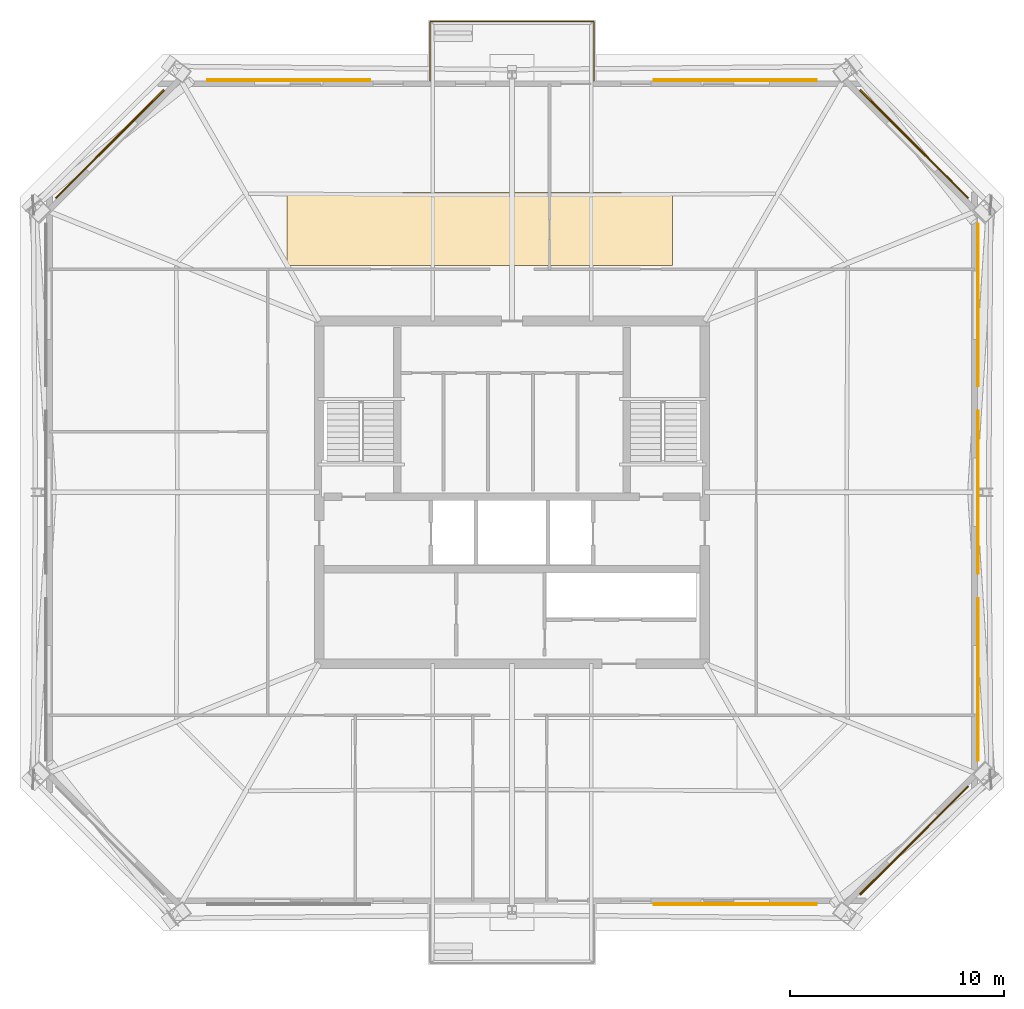
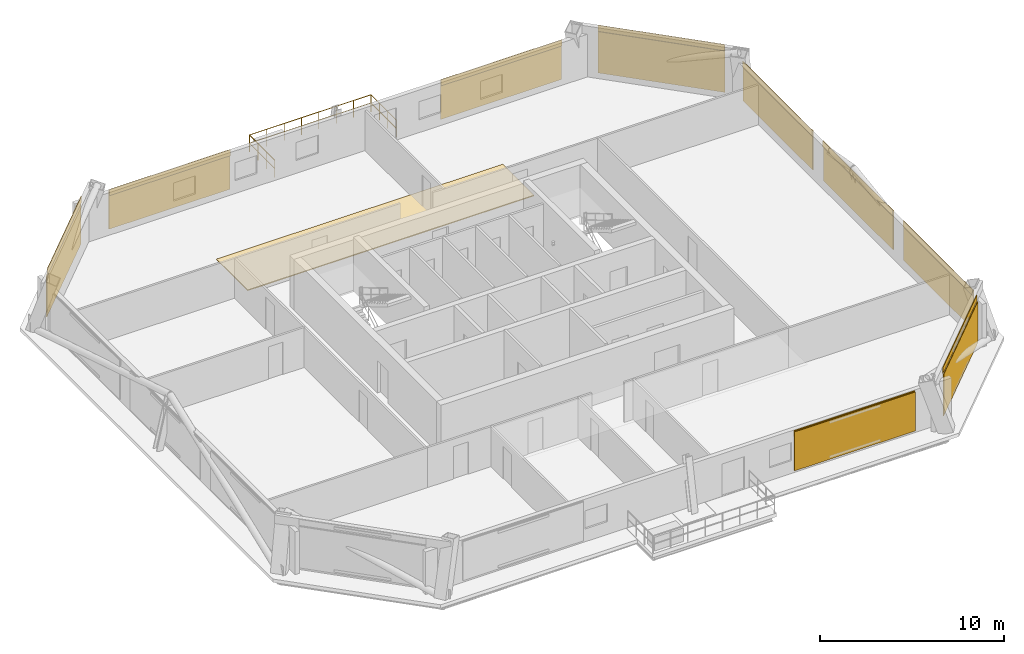
# One storey, part 6 of 6: 10 coverings, 9 shading devices, 1 railing.
"""IFC4 building model written with IfcOpenShell, lengths in metres."""

from ifc_helpers import new_model, si_unit, direction, frame, origin, origin_2d, place, context, subcontext, project, spatial, polyline, rectangle, circle, outline, extrude, material, layer, layer_set, type_object, element, save


model = new_model("IFC4")

# Units and contexts
model_context = context("Model", 3, precision=1e-05, world=origin(), true_north=direction((0.0, 1.0)))
body_context = subcontext(model_context, "Body", "Model", "MODEL_VIEW")
ifc_project = project(units=[si_unit("LENGTHUNIT", "METRE"), si_unit("AREAUNIT", "SQUARE_METRE"), si_unit("VOLUMEUNIT", "CUBIC_METRE"), si_unit("PLANEANGLEUNIT", "RADIAN"), si_unit("MASSUNIT", "GRAM", prefix="KILO")], contexts=[model_context])

# Site, building, storey
site_placement = place(None, origin())
site = spatial("IfcSite", under=ifc_project, at=site_placement, CompositionType="ELEMENT")
building_placement = place(site_placement, origin())
building = spatial("IfcBuilding", under=site, at=building_placement, Name="Caelvoria Tower", CompositionType="ELEMENT")
storey_placement = place(building_placement, frame((0.0, 0.0, 195.0)))
storey = spatial("IfcBuildingStorey", under=building, at=storey_placement, Name="L51", CompositionType="ELEMENT", Elevation=195.0)

# Railing
ifc_material_1 = material(Name="Bronze Anodised Aluminium and Stainless Steel", Category="steel")
railing_type = type_object("IfcRailingType", Name="Exterior Terrace and Balcony Guardrail 1150", PredefinedType="GUARDRAIL", material=ifc_material_1)
railing_placement = place(storey_placement, frame((42.179931640625, 51.219970703125, 0.0)))
element("IfcRailing", 1, at=railing_placement, inside=storey, type_object=railing_type, Name="Tree Balcony Guardrail TB-L51-N", PredefinedType="GUARDRAIL", context=body_context, shape_type="SweptSolid", body=[
    extrude(circle(Radius=0.02392578125, at=origin_2d()), frame((0.0, 0.0, 1.1259765625), z_axis=(0.0, 1.0, 0.0), x_axis=(-1.0, 0.0, 0.0)), (0.0, 0.0, 1.0), 2.760009765625),
    extrude(circle(Radius=0.02392578125, at=origin_2d()), frame((0.0, 0.0, 0.574951171875), z_axis=(0.0, 1.0, 0.0), x_axis=(-1.0, 0.0, 0.0)), (0.0, 0.0, 1.0), 2.760009765625),
    extrude(circle(Radius=0.02392578125, at=origin_2d()), frame((0.0, 2.760009765625, 1.1259765625), z_axis=(1.0, 0.0, 0.0), x_axis=(0.0, 1.0, 0.0)), (0.0, 0.0, 1.0), 7.64013671875),
    extrude(circle(Radius=0.02392578125, at=origin_2d()), frame((0.0, 2.760009765625, 0.574951171875), z_axis=(1.0, 0.0, 0.0), x_axis=(0.0, 1.0, 0.0)), (0.0, 0.0, 1.0), 7.64013671875),
    extrude(circle(Radius=0.02392578125, at=origin_2d()), frame((7.64013671875, 2.760009765625, 1.1259765625), z_axis=(0.0, -1.0, 0.0), x_axis=(1.0, 0.0, 0.0)), (0.0, 0.0, 1.0), 2.760009765625),
    extrude(circle(Radius=0.02392578125, at=origin_2d()), frame((7.64013671875, 2.760009765625, 0.574951171875), z_axis=(0.0, -1.0, 0.0), x_axis=(1.0, 0.0, 0.0)), (0.0, 0.0, 1.0), 2.760009765625),
    extrude(circle(Radius=0.02099609375, at=origin_2d()), origin(), (0.0, 0.0, 1.0), 1.101806640625),
    extrude(circle(Radius=0.02099609375, at=origin_2d()), frame((0.0, 0.919921875, 0.0)), (0.0, 0.0, 1.0), 1.101806640625),
    extrude(circle(Radius=0.02099609375, at=origin_2d()), frame((0.0, 1.840087890625, 0.0)), (0.0, 0.0, 1.0), 1.101806640625),
    extrude(circle(Radius=0.02099609375, at=origin_2d()), frame((0.0, 2.760009765625, 0.0)), (0.0, 0.0, 1.0), 1.101806640625),
    extrude(circle(Radius=0.02099609375, at=origin_2d()), frame((1.091552734375, 2.760009765625, 0.0)), (0.0, 0.0, 1.0), 1.101806640625),
    extrude(circle(Radius=0.02099609375, at=origin_2d()), frame((2.182861328125, 2.760009765625, 0.0)), (0.0, 0.0, 1.0), 1.101806640625),
    extrude(circle(Radius=0.02099609375, at=origin_2d()), frame((3.2744140625, 2.760009765625, 0.0)), (0.0, 0.0, 1.0), 1.101806640625),
    extrude(circle(Radius=0.02099609375, at=origin_2d()), frame((4.36572265625, 2.760009765625, 0.0)), (0.0, 0.0, 1.0), 1.101806640625),
    extrude(circle(Radius=0.02099609375, at=origin_2d()), frame((5.457275390625, 2.760009765625, 0.0)), (0.0, 0.0, 1.0), 1.101806640625),
    extrude(circle(Radius=0.02099609375, at=origin_2d()), frame((6.548583984375, 2.760009765625, 0.0)), (0.0, 0.0, 1.0), 1.101806640625),
    extrude(circle(Radius=0.02099609375, at=origin_2d()), frame((7.64013671875, 2.760009765625, 0.0)), (0.0, 0.0, 1.0), 1.101806640625),
    extrude(circle(Radius=0.02099609375, at=origin_2d()), frame((7.64013671875, 1.840087890625, 0.0)), (0.0, 0.0, 1.0), 1.101806640625),
    extrude(circle(Radius=0.02099609375, at=origin_2d()), frame((7.64013671875, 0.919921875, 0.0)), (0.0, 0.0, 1.0), 1.101806640625),
    extrude(circle(Radius=0.02099609375, at=origin_2d()), frame((7.64013671875, 0.0, 0.0)), (0.0, 0.0, 1.0), 1.101806640625),
])

# Coverings
ifc_material_2 = material(Name="Perforated Architectural Bronze Cladding Screen", Category="bronze")
ifc_layer_1 = layer(ifc_material_2, 0.0400390625, Name="Perforated Architectural Bronze Cladding Screen")
ifc_layer_set_1 = layer_set([ifc_layer_1], Name="Perforated Bronze Louvre Cladding Band 40 - Perforated Architectural Bronze Cladding Screen")
covering_type_1 = type_object("IfcCoveringType", Name="Perforated Bronze Louvre Cladding Band 40", PredefinedType="CLADDING", material=ifc_layer_set_1)
covering_1_placement = place(storey_placement, frame((56.4267578125, 12.775390625, 2.412109375), z_axis=(0.0, 0.0, 1.0), x_axis=(1.0, 0.0, 0.0)))
element("IfcCovering", 2, at=covering_1_placement, inside=storey, type_object=covering_type_1, Name="Perforated Bronze Screen Band L51-E0-02", PredefinedType="CLADDING", context=body_context, shape_type="SweptSolid", body=[
    extrude(rectangle(XDim=7.60009765625, YDim=0.0400390625, at=origin_2d()), origin(), (0.0, 0.0, 1.0), 0.39990234375),
])
covering_2_placement = place(storey_placement, frame((64.766357421875, 15.753662109375, 2.955078125), z_axis=(0.0, 0.0, 1.0), x_axis=(0.707106781187, 0.707106781187, 0.0)))
element("IfcCovering", 3, at=covering_2_placement, inside=storey, type_object=covering_type_1, Name="Perforated Bronze Screen Band L51-E1-00", PredefinedType="CLADDING", context=body_context, shape_type="SweptSolid", body=[
    extrude(rectangle(XDim=7.151611328125, YDim=0.0400390625, at=origin_2d()), origin(), (0.0, 0.0, 1.0), 0.39990234375),
])
for number, where, z_axis, x_axis, name in (
    (4, (67.744384765625, 23.25341796875, 2.412109375), (0.0, 0.0, 1.0), (0.0, 1.0, 0.0), "Perforated Bronze Screen Band L51-E2-00"),
    (5, (67.744384765625, 32.0, 2.412109375), (0.0, 0.0, 1.0), (0.0, 1.0, 0.0), "Perforated Bronze Screen Band L51-E2-01"),
    (6, (67.744384765625, 40.74658203125, 2.412109375), (0.0, 0.0, 1.0), (0.0, 1.0, 0.0), "Perforated Bronze Screen Band L51-E2-02"),
):
    element("IfcCovering", number, at=place(storey_placement, frame(where, z_axis=z_axis, x_axis=x_axis)), inside=storey, type_object=covering_type_1, Name=name, PredefinedType="CLADDING", context=body_context, shape_type="SweptSolid", body=[
        extrude(rectangle(XDim=7.60009765625, YDim=0.0400390625, at=origin_2d()), origin(), (0.0, 0.0, 1.0), 0.39990234375),
    ])
covering_3_placement = place(storey_placement, frame((64.766357421875, 48.246337890625, 2.955078125), z_axis=(0.0, 0.0, 1.0), x_axis=(-0.707106781187, 0.707106781187, 0.0)))
element("IfcCovering", 7, at=covering_3_placement, inside=storey, type_object=covering_type_1, Name="Perforated Bronze Screen Band L51-E3-00", PredefinedType="CLADDING", context=body_context, shape_type="SweptSolid", body=[
    extrude(rectangle(XDim=7.151611328125, YDim=0.0400390625, at=origin_2d()), origin(), (0.0, 0.0, 1.0), 0.39990234375),
])
for number, where, z_axis, x_axis, name in (
    (8, (56.4267578125, 51.224609375, 2.412109375), (0.0, 0.0, 1.0), (-1.0, 0.0, 0.0), "Perforated Bronze Screen Band L51-E4-00"),
    (9, (35.5732421875, 51.224609375, 2.412109375), (0.0, 0.0, 1.0), (-1.0, 0.0, 0.0), "Perforated Bronze Screen Band L51-E4-02"),
):
    element("IfcCovering", number, at=place(storey_placement, frame(where, z_axis=z_axis, x_axis=x_axis)), inside=storey, type_object=covering_type_1, Name=name, PredefinedType="CLADDING", context=body_context, shape_type="SweptSolid", body=[
        extrude(rectangle(XDim=7.60009765625, YDim=0.0400390625, at=origin_2d()), origin(), (0.0, 0.0, 1.0), 0.39990234375),
    ])
covering_4_placement = place(storey_placement, frame((27.233642578125, 48.246337890625, 2.955078125), z_axis=(0.0, 0.0, 1.0), x_axis=(-0.707106781187, -0.707106781187, 0.0)))
element("IfcCovering", 10, at=covering_4_placement, inside=storey, type_object=covering_type_1, Name="Perforated Bronze Screen Band L51-E5-00", PredefinedType="CLADDING", context=body_context, shape_type="SweptSolid", body=[
    extrude(rectangle(XDim=7.151611328125, YDim=0.0400390625, at=origin_2d()), origin(), (0.0, 0.0, 1.0), 0.39990234375),
])

# Shading devices
ifc_material_3 = material(Name="Perforated Architectural Bronze Alloy Panel", Category="bronze")
ifc_layer_2 = layer(ifc_material_3, 0.044921875, Name="Perforated Architectural Bronze Alloy Panel")
ifc_layer_set_2 = layer_set([ifc_layer_2], Name="Perforated Bronze Solar Screen Panel SCREEN - Perforated Architectural Bronze Alloy Panel")
shading_device_type = type_object("IfcShadingDeviceType", Name="Perforated Bronze Solar Screen Panel SCREEN", PredefinedType="USERDEFINED", material=ifc_layer_set_2)
shading_device_1_placement = place(storey_placement, frame((56.4267578125, 12.732421875, 0.16015625), z_axis=(0.0, 0.0, 1.0), x_axis=(1.0, 0.0, 0.0)))
element("IfcShadingDevice", 11, at=shading_device_1_placement, inside=storey, type_object=shading_device_type, Name="Perforated Bronze Solar Screen L51-E0-02", ObjectType="SCREEN", PredefinedType="USERDEFINED", context=body_context, shape_type="SweptSolid", body=[
    extrude(rectangle(XDim=7.60009765625, YDim=0.044921875, at=origin_2d()), origin(), (0.0, 0.0, 1.0), 2.592041015625),
])
shading_device_2_placement = place(storey_placement, frame((64.796875, 15.72314453125, 0.159912109375), z_axis=(0.0, 0.0, 1.0), x_axis=(0.707106781187, 0.707106781187, 0.0)))
element("IfcShadingDevice", 12, at=shading_device_2_placement, inside=storey, type_object=shading_device_type, Name="Perforated Bronze Solar Screen L51-E1-00", ObjectType="SCREEN", PredefinedType="USERDEFINED", context=body_context, shape_type="SweptSolid", body=[
    extrude(rectangle(XDim=7.151611328125, YDim=0.044921875, at=origin_2d()), origin(), (0.0, 0.0, 1.0), 2.75),
])
for number, where, z_axis, x_axis, name in (
    (13, (67.78759765625, 23.25341796875, 0.16015625), (0.0, 0.0, 1.0), (0.0, 1.0, 0.0), "Perforated Bronze Solar Screen L51-E2-00"),
    (14, (67.78759765625, 32.0, 0.16015625), (0.0, 0.0, 1.0), (0.0, 1.0, 0.0), "Perforated Bronze Solar Screen L51-E2-01"),
    (15, (67.78759765625, 40.74658203125, 0.16015625), (0.0, 0.0, 1.0), (0.0, 1.0, 0.0), "Perforated Bronze Solar Screen L51-E2-02"),
):
    element("IfcShadingDevice", number, at=place(storey_placement, frame(where, z_axis=z_axis, x_axis=x_axis)), inside=storey, type_object=shading_device_type, Name=name, ObjectType="SCREEN", PredefinedType="USERDEFINED", context=body_context, shape_type="SweptSolid", body=[
        extrude(rectangle(XDim=7.60009765625, YDim=0.044921875, at=origin_2d()), origin(), (0.0, 0.0, 1.0), 2.592041015625),
    ])
shading_device_3_placement = place(storey_placement, frame((64.796875, 48.27685546875, 0.159912109375), z_axis=(0.0, 0.0, 1.0), x_axis=(-0.707106781187, 0.707106781187, 0.0)))
element("IfcShadingDevice", 16, at=shading_device_3_placement, inside=storey, type_object=shading_device_type, Name="Perforated Bronze Solar Screen L51-E3-00", ObjectType="SCREEN", PredefinedType="USERDEFINED", context=body_context, shape_type="SweptSolid", body=[
    extrude(rectangle(XDim=7.151611328125, YDim=0.044921875, at=origin_2d()), origin(), (0.0, 0.0, 1.0), 2.75),
])
for number, where, z_axis, x_axis, name in (
    (17, (56.4267578125, 51.267578125, 0.16015625), (0.0, 0.0, 1.0), (-1.0, 0.0, 0.0), "Perforated Bronze Solar Screen L51-E4-00"),
    (18, (35.5732421875, 51.267578125, 0.16015625), (0.0, 0.0, 1.0), (-1.0, 0.0, 0.0), "Perforated Bronze Solar Screen L51-E4-02"),
):
    element("IfcShadingDevice", number, at=place(storey_placement, frame(where, z_axis=z_axis, x_axis=x_axis)), inside=storey, type_object=shading_device_type, Name=name, ObjectType="SCREEN", PredefinedType="USERDEFINED", context=body_context, shape_type="SweptSolid", body=[
        extrude(rectangle(XDim=7.60009765625, YDim=0.044921875, at=origin_2d()), origin(), (0.0, 0.0, 1.0), 2.592041015625),
    ])
shading_device_4_placement = place(storey_placement, frame((27.203125, 48.27685546875, 0.159912109375), z_axis=(0.0, 0.0, 1.0), x_axis=(-0.707106781187, -0.707106781187, 0.0)))
element("IfcShadingDevice", 19, at=shading_device_4_placement, inside=storey, type_object=shading_device_type, Name="Perforated Bronze Solar Screen L51-E5-00", ObjectType="SCREEN", PredefinedType="USERDEFINED", context=body_context, shape_type="SweptSolid", body=[
    extrude(rectangle(XDim=7.151611328125, YDim=0.044921875, at=origin_2d()), origin(), (0.0, 0.0, 1.0), 2.75),
])

# Covering
ifc_material_4 = material(Name="Calcium-Sulphate Raised Floor Tile", Category="gypsum")
ifc_layer_3 = layer(ifc_material_4, 0.06005859375, Name="Calcium-Sulphate Raised Floor Tile")
ifc_layer_set_3 = layer_set([ifc_layer_3], Name="Raised Access Office Floor System 120 - Calcium-Sulphate Raised Floor Tile")
covering_type_2 = type_object("IfcCoveringType", Name="Raised Access Office Floor System 120", PredefinedType="FLOORING", material=ifc_layer_set_3)
covering_5_placement = place(storey_placement, origin())
element("IfcCovering", 20, at=covering_5_placement, inside=storey, type_object=covering_type_2, Name="Raised Access Flooring L51", PredefinedType="FLOORING", context=body_context, shape_type="SweptSolid", body=[
    extrude(outline(polyline([(35.5, 42.60009765625), (53.5, 42.60009765625), (53.5, 46.0), (35.5, 46.0), (35.5, 42.60009765625)])), origin(), (0.0, 0.0, 1.0), 0.06005859375),
])

save(model, "model.ifc")
